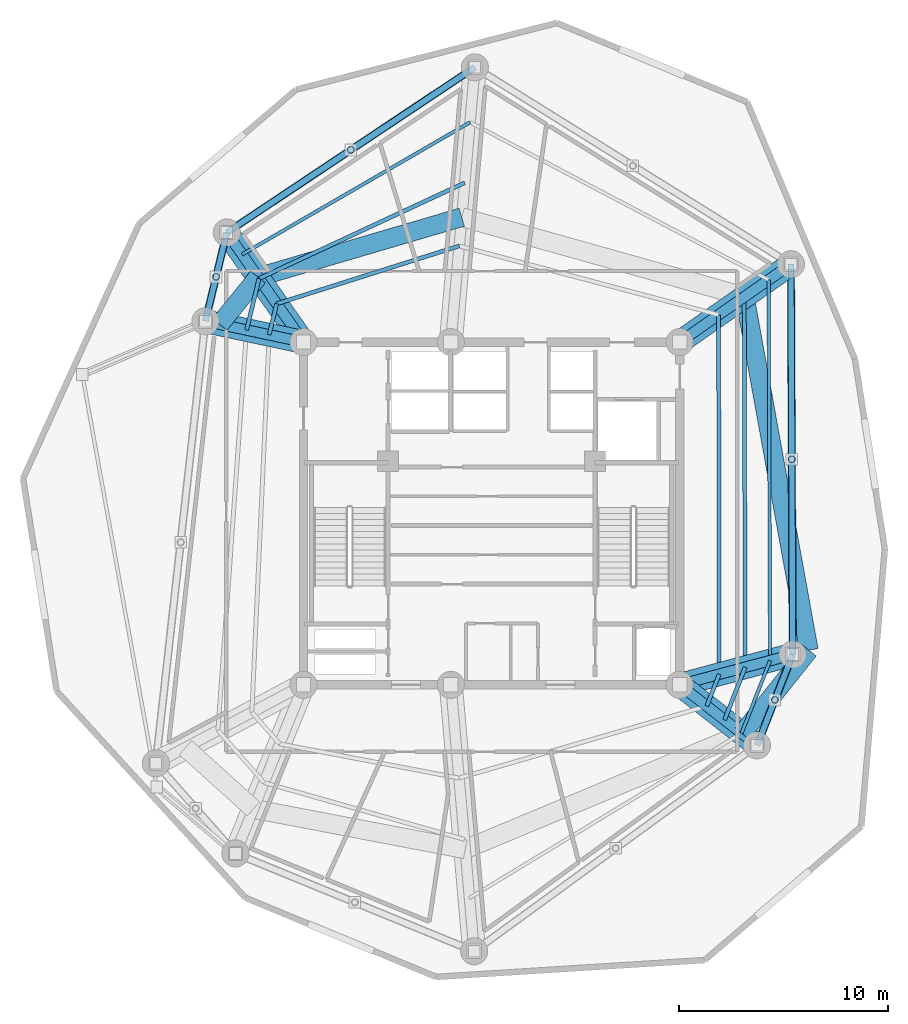
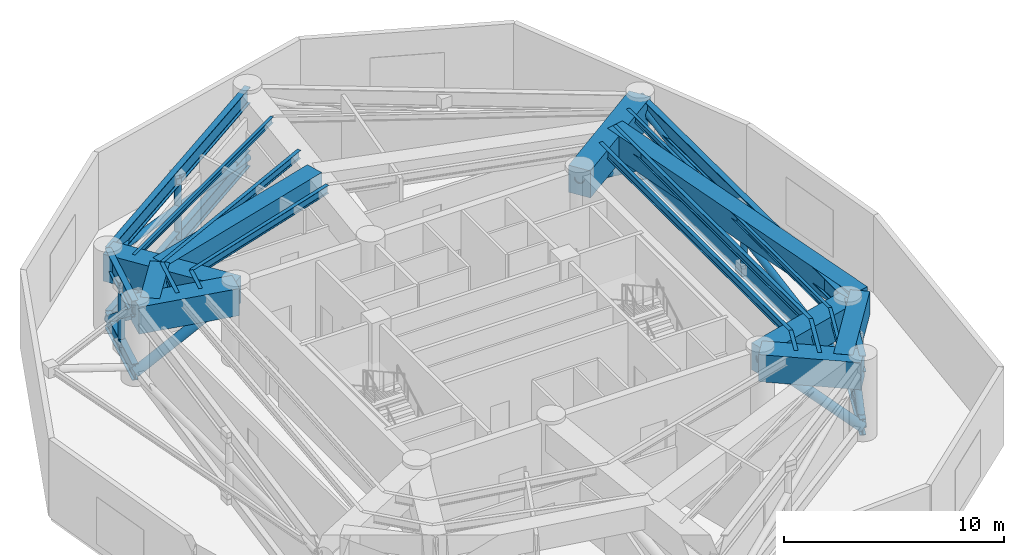
# One storey, part 3 of 11: 24 beams, 17 members.
"""IFC4 building model written with IfcOpenShell, lengths in metres."""

from ifc_helpers import new_model, si_unit, direction, frame, origin, origin_with_axes, origin_2d, place, context, subcontext, project, spatial, rectangle, hollow_circle, i_section, extrude, source, transform, mapped, material, material_profile, profile_set, type_object, element, save


model = new_model("IFC4")

# Units and contexts
model_context = context("Model", 3, precision=1e-05, world=origin(), true_north=direction((0.0, 1.0)))
body_context = subcontext(model_context, "Body", "Model", "MODEL_VIEW")
ifc_project = project(units=[si_unit("LENGTHUNIT", "METRE"), si_unit("AREAUNIT", "SQUARE_METRE"), si_unit("VOLUMEUNIT", "CUBIC_METRE"), si_unit("PLANEANGLEUNIT", "RADIAN"), si_unit("MASSUNIT", "GRAM", prefix="KILO")], contexts=[model_context])

# Site, building, storey
site_placement = place(None, origin())
site = spatial("IfcSite", under=ifc_project, at=site_placement, CompositionType="ELEMENT")
building_placement = place(site_placement, origin())
building = spatial("IfcBuilding", under=site, at=building_placement, Name="Karkom Vertical University and Central Library", CompositionType="ELEMENT")
storey_placement = place(building_placement, frame((0.0, 0.0, 208.39990234375)))
storey = spatial("IfcBuildingStorey", under=building, at=storey_placement, Name="P61", CompositionType="ELEMENT", Elevation=208.39990234375)

# Beams
ifc_material_1 = material(Name="Steel S355", Category="steel")
ifc_material_profile_1 = material_profile(ifc_material_1, i_section(OverallWidth=0.18994140625, OverallDepth=0.449951171875, WebThickness=0.009521484375, FlangeThickness=0.0146484375, FilletRadius=0.02099609375, at=origin_2d()), Name="IPE 450")
ifc_profile_set_1 = profile_set([ifc_material_profile_1], Name="Steel S355")
beam_type_1 = type_object("IfcBeamType", Name="STR-BM-SB-IPE450", PredefinedType="BEAM", material=ifc_profile_set_1)
shared_shape_1 = source(origin_with_axes(), body_context, "Body", "SweptSolid", [
    extrude(i_section(OverallWidth=0.18994140625, OverallDepth=0.449951171875, WebThickness=0.009521484375, FlangeThickness=0.0146484375, FilletRadius=0.02099609375, at=origin_2d()), origin(), (0.0, 0.0, 1.0), 17.19775390625),
])
beam_1_placement = place(storey_placement, frame((39.39306640625, 18.80712890625, 4.0751953125), z_axis=(-0.001731918699, 0.999998500228, 0.0), x_axis=(-0.999998500228, -0.001731918699, 0.0)))
element("IfcBeam", 1, at=beam_1_placement, inside=storey, type_object=beam_type_1, Name="Plant Level 61 Secondary Composite Floor Beam 1.01", PredefinedType="BEAM", context=body_context, shape_type="MappedRepresentation", body=[
    mapped(shared_shape_1, transform((0.0, 0.0, 0.0), scale=1.0)),
])
shared_shape_2 = source(origin_with_axes(), body_context, "Body", "SweptSolid", [
    extrude(i_section(OverallWidth=0.18994140625, OverallDepth=0.449951171875, WebThickness=0.009521484375, FlangeThickness=0.0146484375, FilletRadius=0.02099609375, at=origin_2d()), origin(), (0.0, 0.0, 1.0), 9.1650390625),
])
beam_2_placement = place(storey_placement, frame((26.952392578125, 39.302490234375, 4.0751953125), z_axis=(-0.953318200449, -0.301967562319, 0.0), x_axis=(0.301967562319, -0.953318200449, 0.0)))
element("IfcBeam", 2, at=beam_2_placement, inside=storey, type_object=beam_type_1, Name="Plant Level 61 Secondary Composite Floor Beam 1.03", PredefinedType="BEAM", context=body_context, shape_type="MappedRepresentation", body=[
    mapped(shared_shape_2, transform((0.0, 0.0, 0.0), scale=1.0)),
])
shared_shape_3 = source(origin_with_axes(), body_context, "Body", "SweptSolid", [
    extrude(i_section(OverallWidth=0.18994140625, OverallDepth=0.449951171875, WebThickness=0.009521484375, FlangeThickness=0.0146484375, FilletRadius=0.02099609375, at=origin_2d()), origin(), (0.0, 0.0, 1.0), 1.5283203125),
])
beam_3_placement = place(storey_placement, frame((18.215087890625, 36.534912109375, 4.0751953125), z_axis=(-0.234520804587, -0.972111100757, 0.0), x_axis=(0.972111100757, -0.234520804587, 0.0)))
element("IfcBeam", 3, at=beam_3_placement, inside=storey, type_object=beam_type_1, Name="Plant Level 61 Secondary Composite Floor Beam 1.04", PredefinedType="BEAM", context=body_context, shape_type="MappedRepresentation", body=[
    mapped(shared_shape_3, transform((0.0, 0.0, 0.0), scale=1.0)),
])
shared_shape_4 = source(origin_with_axes(), body_context, "Body", "SweptSolid", [
    extrude(i_section(OverallWidth=0.18994140625, OverallDepth=0.449951171875, WebThickness=0.009521484375, FlangeThickness=0.0146484375, FilletRadius=0.02099609375, at=origin_2d()), origin(), (0.0, 0.0, 1.0), 1.633056640625),
])
beam_4_placement = place(storey_placement, frame((38.79638671875, 17.287109375, 4.0751953125), z_axis=(0.365402570083, 0.930849591382, 0.0), x_axis=(-0.930849591382, 0.365402570083, 0.0)))
element("IfcBeam", 4, at=beam_4_placement, inside=storey, type_object=beam_type_1, Name="Plant Level 61 Secondary Composite Floor Beam 1.09", PredefinedType="BEAM", context=body_context, shape_type="MappedRepresentation", body=[
    mapped(shared_shape_4, transform((0.0, 0.0, 0.0), scale=1.0)),
])
shared_shape_5 = source(origin_with_axes(), body_context, "Body", "SweptSolid", [
    extrude(i_section(OverallWidth=0.18994140625, OverallDepth=0.449951171875, WebThickness=0.009521484375, FlangeThickness=0.0146484375, FilletRadius=0.02099609375, at=origin_2d()), origin(), (0.0, 0.0, 1.0), 17.721923828125),
])
beam_5_placement = place(storey_placement, frame((40.63720703125, 19.140380859375, 4.0751953125), z_axis=(-0.002782780006, 0.99999612806, 0.0), x_axis=(-0.99999612806, -0.002782780006, 0.0)))
element("IfcBeam", 5, at=beam_5_placement, inside=storey, type_object=beam_type_1, Name="Plant Level 61 Secondary Composite Floor Beam 2.01", PredefinedType="BEAM", context=body_context, shape_type="MappedRepresentation", body=[
    mapped(shared_shape_5, transform((0.0, 0.0, 0.0), scale=1.0)),
])
shared_shape_6 = source(origin_with_axes(), body_context, "Body", "SweptSolid", [
    extrude(i_section(OverallWidth=0.18994140625, OverallDepth=0.449951171875, WebThickness=0.009521484375, FlangeThickness=0.0146484375, FilletRadius=0.02099609375, at=origin_2d()), origin(), (0.0, 0.0, 1.0), 10.86181640625),
])
beam_6_placement = place(storey_placement, frame((27.217041015625, 42.326904296875, 4.0751953125), z_axis=(-0.90649871419, -0.422208575436, 0.0), x_axis=(0.422208575436, -0.90649871419, 0.0)))
element("IfcBeam", 6, at=beam_6_placement, inside=storey, type_object=beam_type_1, Name="Plant Level 61 Secondary Composite Floor Beam 2.03", PredefinedType="BEAM", context=body_context, shape_type="MappedRepresentation", body=[
    mapped(shared_shape_6, transform((0.0, 0.0, 0.0), scale=1.0)),
])
shared_shape_7 = source(origin_with_axes(), body_context, "Body", "SweptSolid", [
    extrude(i_section(OverallWidth=0.18994140625, OverallDepth=0.449951171875, WebThickness=0.009521484375, FlangeThickness=0.0146484375, FilletRadius=0.02099609375, at=origin_2d()), origin(), (0.0, 0.0, 1.0), 2.53271484375),
])
beam_7_placement = place(storey_placement, frame((17.370849609375, 37.740966796875, 4.0751953125), z_axis=(-0.234521178828, -0.972111010472, 0.0), x_axis=(0.972111010472, -0.234521178828, 0.0)))
element("IfcBeam", 7, at=beam_7_placement, inside=storey, type_object=beam_type_1, Name="Plant Level 61 Secondary Composite Floor Beam 2.04", PredefinedType="BEAM", context=body_context, shape_type="MappedRepresentation", body=[
    mapped(shared_shape_7, transform((0.0, 0.0, 0.0), scale=1.0)),
])
shared_shape_8 = source(origin_with_axes(), body_context, "Body", "SweptSolid", [
    extrude(i_section(OverallWidth=0.18994140625, OverallDepth=0.449951171875, WebThickness=0.009521484375, FlangeThickness=0.0146484375, FilletRadius=0.02099609375, at=origin_2d()), origin(), (0.0, 0.0, 1.0), 2.7060546875),
])
beam_8_placement = place(storey_placement, frame((39.648193359375, 16.62158203125, 4.0751953125), z_axis=(0.365487674906, 0.930816179217, 0.0), x_axis=(-0.930816179217, 0.365487674906, 0.0)))
element("IfcBeam", 8, at=beam_8_placement, inside=storey, type_object=beam_type_1, Name="Plant Level 61 Secondary Composite Floor Beam 2.09", PredefinedType="BEAM", context=body_context, shape_type="MappedRepresentation", body=[
    mapped(shared_shape_8, transform((0.0, 0.0, 0.0), scale=1.0)),
])
ifc_material_profile_2 = material_profile(ifc_material_1, i_section(OverallWidth=0.159912109375, OverallDepth=0.330078125, WebThickness=0.007568359375, FlangeThickness=0.011474609375, FilletRadius=0.01806640625, at=origin_2d()), Name="IPE 330")
ifc_profile_set_2 = profile_set([ifc_material_profile_2], Name="Steel S355")
beam_type_2 = type_object("IfcBeamType", Name="STR-BM-SB-IPE330", PredefinedType="BEAM", material=ifc_profile_set_2)
shared_shape_9 = source(origin_with_axes(), body_context, "Body", "SweptSolid", [
    extrude(i_section(OverallWidth=0.159912109375, OverallDepth=0.330078125, WebThickness=0.007568359375, FlangeThickness=0.011474609375, FilletRadius=0.01806640625, at=origin_2d()), origin(), (0.0, 0.0, 1.0), 18.223388671875),
])
beam_9_placement = place(storey_placement, frame((41.8271484375, 19.459228515625, 4.135009765625), z_axis=(-0.003724418851, 0.999993064328, 0.0), x_axis=(-0.999993064328, -0.003724418851, 0.0)))
element("IfcBeam", 9, at=beam_9_placement, inside=storey, type_object=beam_type_2, Name="Plant Level 61 Secondary Composite Floor Beam 3.01", PredefinedType="BEAM", context=body_context, shape_type="MappedRepresentation", body=[
    mapped(shared_shape_9, transform((0.0, 0.0, 0.0), scale=1.0)),
])
shared_shape_10 = source(origin_with_axes(), body_context, "Body", "SweptSolid", [
    extrude(i_section(OverallWidth=0.159912109375, OverallDepth=0.330078125, WebThickness=0.007568359375, FlangeThickness=0.011474609375, FilletRadius=0.01806640625, at=origin_2d()), origin(), (0.0, 0.0, 1.0), 12.6083984375),
])
beam_10_placement = place(storey_placement, frame((27.469970703125, 45.219970703125, 4.135009765625), z_axis=(-0.865038920595, -0.50170475965, 0.0), x_axis=(0.50170475965, -0.865038920595, 0.0)))
element("IfcBeam", 10, at=beam_10_placement, inside=storey, type_object=beam_type_2, Name="Plant Level 61 Secondary Composite Floor Beam 3.03", PredefinedType="BEAM", context=body_context, shape_type="MappedRepresentation", body=[
    mapped(shared_shape_10, transform((0.0, 0.0, 0.0), scale=1.0)),
])
shared_shape_11 = source(origin_with_axes(), body_context, "Body", "SweptSolid", [
    extrude(i_section(OverallWidth=0.159912109375, OverallDepth=0.330078125, WebThickness=0.007568359375, FlangeThickness=0.011474609375, FilletRadius=0.01806640625, at=origin_2d()), origin(), (0.0, 0.0, 1.0), 3.732421875),
])
beam_11_placement = place(storey_placement, frame((40.463134765625, 15.98486328125, 4.135009765625), z_axis=(0.365439874109, 0.930834946922, 0.0), x_axis=(-0.930834946922, 0.365439874109, 0.0)))
element("IfcBeam", 11, at=beam_11_placement, inside=storey, type_object=beam_type_2, Name="Plant Level 61 Secondary Composite Floor Beam 3.09", PredefinedType="BEAM", context=body_context, shape_type="MappedRepresentation", body=[
    mapped(shared_shape_11, transform((0.0, 0.0, 0.0), scale=1.0)),
])
ifc_material_2 = material(Name="Concrete C50/60", Category="concrete")
ifc_material_profile_3 = material_profile(ifc_material_2, rectangle(XDim=1.10009765625, YDim=1.5, at=origin_2d()), Name="TG-1100x1500")
ifc_profile_set_3 = profile_set([ifc_material_profile_3], Name="Concrete C50/60")
beam_type_3 = type_object("IfcBeamType", Name="STR-BM-TG-1", PredefinedType="USERDEFINED", material=ifc_profile_set_3)
shared_shape_12 = source(origin_with_axes(), body_context, "Body", "SweptSolid", [
    extrude(rectangle(XDim=1.10009765625, YDim=1.5, at=origin_2d()), origin(), (0.0, 0.0, 1.0), 5.599609375),
])
beam_12_placement = place(storey_placement, frame((37.5, 18.300048828125, 3.550048828125), z_axis=(0.965941240814, 0.258761510459, 0.0), x_axis=(-0.258761510459, 0.965941240814, 0.0)))
element("IfcBeam", 12, at=beam_12_placement, inside=storey, type_object=beam_type_3, Name="Plant Level 61 Radial Frame Girder 01", ObjectType="GIRDER", PredefinedType="USERDEFINED", context=body_context, shape_type="MappedRepresentation", body=[
    mapped(shared_shape_12, transform((0.0, 0.0, 0.0), scale=1.0)),
])
shared_shape_13 = source(origin_with_axes(), body_context, "Body", "SweptSolid", [
    extrude(rectangle(XDim=1.10009765625, YDim=1.5, at=origin_2d()), origin(), (0.0, 0.0, 1.0), 6.49951171875),
])
beam_13_placement = place(storey_placement, frame((37.5, 34.699951171875, 3.550048828125), z_axis=(0.819141909878, 0.573590909517, 0.0), x_axis=(-0.573590909517, 0.819141909878, 0.0)))
element("IfcBeam", 13, at=beam_13_placement, inside=storey, type_object=beam_type_3, Name="Plant Level 61 Radial Frame Girder 02", ObjectType="GIRDER", PredefinedType="USERDEFINED", context=body_context, shape_type="MappedRepresentation", body=[
    mapped(shared_shape_13, transform((0.0, 0.0, 0.0), scale=1.0)),
])
shared_shape_14 = source(origin_with_axes(), body_context, "Body", "SweptSolid", [
    extrude(rectangle(XDim=1.10009765625, YDim=1.5, at=origin_2d()), origin(), (0.0, 0.0, 1.0), 6.400390625),
])
beam_14_placement = place(storey_placement, frame((19.5, 34.699951171875, 3.550048828125), z_axis=(-0.573534022273, 0.81918174131, 0.0), x_axis=(-0.81918174131, -0.573534022273, 0.0)))
element("IfcBeam", 14, at=beam_14_placement, inside=storey, type_object=beam_type_3, Name="Plant Level 61 Radial Frame Girder 04", ObjectType="GIRDER", PredefinedType="USERDEFINED", context=body_context, shape_type="MappedRepresentation", body=[
    mapped(shared_shape_14, transform((0.0, 0.0, 0.0), scale=1.0)),
])
shared_shape_15 = source(origin_with_axes(), body_context, "Body", "SweptSolid", [
    extrude(rectangle(XDim=1.10009765625, YDim=1.5, at=origin_2d()), origin(), (0.0, 0.0, 1.0), 4.800048828125),
])
beam_15_placement = place(storey_placement, frame((19.5, 34.699951171875, 3.550048828125), z_axis=(-0.978144241295, 0.207927495108, 0.0), x_axis=(-0.207927495108, -0.978144241295, 0.0)))
element("IfcBeam", 15, at=beam_15_placement, inside=storey, type_object=beam_type_3, Name="Plant Level 61 Radial Frame Girder 05", ObjectType="GIRDER", PredefinedType="USERDEFINED", context=body_context, shape_type="MappedRepresentation", body=[
    mapped(shared_shape_15, transform((0.0, 0.0, 0.0), scale=1.0)),
])
shared_shape_16 = source(origin_with_axes(), body_context, "Body", "SweptSolid", [
    extrude(rectangle(XDim=1.10009765625, YDim=1.5, at=origin_2d()), origin(), (0.0, 0.0, 1.0), 4.70068359375),
])
beam_16_placement = place(storey_placement, frame((37.5, 18.300048828125, 3.550048828125), z_axis=(0.788002325582, -0.615672262553, 0.0), x_axis=(0.615672262553, 0.788002325582, 0.0)))
element("IfcBeam", 16, at=beam_16_placement, inside=storey, type_object=beam_type_3, Name="Plant Level 61 Radial Frame Girder 09", ObjectType="GIRDER", PredefinedType="USERDEFINED", context=body_context, shape_type="MappedRepresentation", body=[
    mapped(shared_shape_16, transform((0.0, 0.0, 0.0), scale=1.0)),
])
ifc_material_3 = material(Name="Steel S460", Category="steel")
ifc_material_profile_4 = material_profile(ifc_material_3, i_section(OverallWidth=0.300048828125, OverallDepth=0.89990234375, WebThickness=0.0185546875, FlangeThickness=0.034912109375, FilletRadius=0.030029296875, at=origin_2d()), Name="HE 900 B")
ifc_profile_set_4 = profile_set([ifc_material_profile_4], Name="Steel S460")
beam_type_4 = type_object("IfcBeamType", Name="STR-BM-SB-HE900", PredefinedType="USERDEFINED", material=ifc_profile_set_4)
shared_shape_17 = source(origin_with_axes(), body_context, "Body", "SweptSolid", [
    extrude(i_section(OverallWidth=0.300048828125, OverallDepth=0.89990234375, WebThickness=0.0185546875, FlangeThickness=0.034912109375, FilletRadius=0.030029296875, at=origin_2d()), origin(), (0.0, 0.0, 1.0), 18.67919921875),
])
beam_17_placement = place(storey_placement, frame((42.908935546875, 19.7490234375, 3.85009765625), z_axis=(-0.004548437442, 0.999989655805, 0.0), x_axis=(-0.999989655805, -0.004548437442, 0.0)))
element("IfcBeam", 17, at=beam_17_placement, inside=storey, type_object=beam_type_4, Name="Plant Level 61 Perimeter Spandrel Beam 01", ObjectType="GIRDER", PredefinedType="USERDEFINED", context=body_context, shape_type="MappedRepresentation", body=[
    mapped(shared_shape_17, transform((0.0, 0.0, 0.0), scale=1.0)),
])
shared_shape_18 = source(origin_with_axes(), body_context, "Body", "SweptSolid", [
    extrude(i_section(OverallWidth=0.300048828125, OverallDepth=0.89990234375, WebThickness=0.0185546875, FlangeThickness=0.034912109375, FilletRadius=0.030029296875, at=origin_2d()), origin(), (0.0, 0.0, 1.0), 14.26318359375),
])
beam_18_placement = place(storey_placement, frame((27.699951171875, 47.85009765625, 3.85009765625), z_axis=(-0.83227406272, -0.554364396876, 0.0), x_axis=(0.554364396876, -0.83227406272, 0.0)))
element("IfcBeam", 18, at=beam_18_placement, inside=storey, type_object=beam_type_4, Name="Plant Level 61 Perimeter Spandrel Beam 03", ObjectType="GIRDER", PredefinedType="USERDEFINED", context=body_context, shape_type="MappedRepresentation", body=[
    mapped(shared_shape_18, transform((0.0, 0.0, 0.0), scale=1.0)),
])
shared_shape_19 = source(origin_with_axes(), body_context, "Body", "SweptSolid", [
    extrude(i_section(OverallWidth=0.300048828125, OverallDepth=0.89990234375, WebThickness=0.0185546875, FlangeThickness=0.034912109375, FilletRadius=0.030029296875, at=origin_2d()), origin(), (0.0, 0.0, 1.0), 4.366943359375),
])
beam_19_placement = place(storey_placement, frame((15.8291015625, 39.943115234375, 3.85009765625), z_axis=(-0.234529408772, -0.972109024966, 0.0), x_axis=(0.972109024966, -0.234529408772, 0.0)))
element("IfcBeam", 19, at=beam_19_placement, inside=storey, type_object=beam_type_4, Name="Plant Level 61 Perimeter Spandrel Beam 04", ObjectType="GIRDER", PredefinedType="USERDEFINED", context=body_context, shape_type="MappedRepresentation", body=[
    mapped(shared_shape_19, transform((0.0, 0.0, 0.0), scale=1.0)),
])
shared_shape_20 = source(origin_with_axes(), body_context, "Body", "SweptSolid", [
    extrude(i_section(OverallWidth=0.300048828125, OverallDepth=0.89990234375, WebThickness=0.0185546875, FlangeThickness=0.034912109375, FilletRadius=0.030029296875, at=origin_2d()), origin(), (0.0, 0.0, 1.0), 4.66552734375),
])
beam_20_placement = place(storey_placement, frame((41.2041015625, 15.406005859375, 3.85009765625), z_axis=(0.365401419454, 0.930850043058, 0.0), x_axis=(-0.930850043058, 0.365401419454, 0.0)))
element("IfcBeam", 20, at=beam_20_placement, inside=storey, type_object=beam_type_4, Name="Plant Level 61 Perimeter Spandrel Beam 09", ObjectType="GIRDER", PredefinedType="USERDEFINED", context=body_context, shape_type="MappedRepresentation", body=[
    mapped(shared_shape_20, transform((0.0, 0.0, 0.0), scale=1.0)),
])
ifc_material_profile_5 = material_profile(ifc_material_2, rectangle(XDim=0.89990234375, YDim=1.300048828125, at=origin_2d()), Name="TG-900x1300")
ifc_profile_set_5 = profile_set([ifc_material_profile_5], Name="Concrete C50/60")
beam_type_5 = type_object("IfcBeamType", Name="STR-BM-TG-3", PredefinedType="USERDEFINED", material=ifc_profile_set_5)
shared_shape_21 = source(origin_with_axes(), body_context, "Body", "SweptSolid", [
    extrude(rectangle(XDim=0.89990234375, YDim=1.300048828125, at=origin_2d()), origin(), (0.0, 0.0, 1.0), 17.19970703125),
])
beam_21_placement = place(storey_placement, frame((43.681884765625, 19.9560546875, 3.650146484375), z_axis=(-0.178423249727, 0.983953832228, 0.0), x_axis=(-0.983953832228, -0.178423249727, 0.0)))
element("IfcBeam", 21, at=beam_21_placement, inside=storey, type_object=beam_type_5, Name="Plant Level 61 Upper Column Transfer Ring 01", ObjectType="GIRDER", PredefinedType="USERDEFINED", context=body_context, shape_type="MappedRepresentation", body=[
    mapped(shared_shape_21, transform((0.0, 0.0, 0.0), scale=1.0)),
])
shared_shape_22 = source(origin_with_axes(), body_context, "Body", "SweptSolid", [
    extrude(rectangle(XDim=0.89990234375, YDim=1.300048828125, at=origin_2d()), origin(), (0.0, 0.0, 1.0), 10.164794921875),
])
beam_22_placement = place(storey_placement, frame((27.072998046875, 40.677001953125, 3.650146484375), z_axis=(-0.959485124536, -0.281759286971, 0.0), x_axis=(0.281759286971, -0.959485124536, 0.0)))
element("IfcBeam", 22, at=beam_22_placement, inside=storey, type_object=beam_type_5, Name="Plant Level 61 Upper Column Transfer Ring 03", ObjectType="GIRDER", PredefinedType="USERDEFINED", context=body_context, shape_type="MappedRepresentation", body=[
    mapped(shared_shape_22, transform((0.0, 0.0, 0.0), scale=1.0)),
])
shared_shape_23 = source(origin_with_axes(), body_context, "Body", "SweptSolid", [
    extrude(rectangle(XDim=0.89990234375, YDim=1.300048828125, at=origin_2d()), origin(), (0.0, 0.0, 1.0), 2.908935546875),
])
beam_23_placement = place(storey_placement, frame((17.320068359375, 37.81298828125, 3.650146484375), z_axis=(-0.629147523747, -0.777285914811, 0.0), x_axis=(0.777285914811, -0.629147523747, 0.0)))
element("IfcBeam", 23, at=beam_23_placement, inside=storey, type_object=beam_type_5, Name="Plant Level 61 Upper Column Transfer Ring 04", ObjectType="GIRDER", PredefinedType="USERDEFINED", context=body_context, shape_type="MappedRepresentation", body=[
    mapped(shared_shape_23, transform((0.0, 0.0, 0.0), scale=1.0)),
])
shared_shape_24 = source(origin_with_axes(), body_context, "Body", "SweptSolid", [
    extrude(rectangle(XDim=0.89990234375, YDim=1.300048828125, at=origin_2d()), origin(), (0.0, 0.0, 1.0), 5.112060546875),
])
beam_24_placement = place(storey_placement, frame((40.493896484375, 15.9599609375, 3.650146484375), z_axis=(0.623634459503, 0.78171609995, 0.0), x_axis=(-0.78171609995, 0.623634459503, 0.0)))
element("IfcBeam", 24, at=beam_24_placement, inside=storey, type_object=beam_type_5, Name="Plant Level 61 Upper Column Transfer Ring 09", ObjectType="GIRDER", PredefinedType="USERDEFINED", context=body_context, shape_type="MappedRepresentation", body=[
    mapped(shared_shape_24, transform((0.0, 0.0, 0.0), scale=1.0)),
])

# Members
ifc_material_profile_6 = material_profile(ifc_material_1, hollow_circle(Radius=0.177734375, WallThickness=0.01611328125, at=origin_2d()), Name="CHS 355.6x16")
ifc_profile_set_6 = profile_set([ifc_material_profile_6], Name="Steel S355")
member_type_1 = type_object("IfcMemberType", Name="STR-MEM-BR-3", PredefinedType="BRACE", material=ifc_profile_set_6)
shared_shape_25 = source(origin_with_axes(), body_context, "Body", "SweptSolid", [
    extrude(hollow_circle(Radius=0.177734375, WallThickness=0.01611328125, at=origin_2d()), origin(), (0.0, 0.0, 1.0), 18.986083984375),
])
member_1_placement = place(storey_placement, frame((42.908935546875, 19.7490234375, 0.35009765625), z_axis=(-0.00447491492, 0.983825475893, 0.179073750504), x_axis=(-0.999989655805, -0.004548437442, 0.0)))
element("IfcMember", 25, at=member_1_placement, inside=storey, type_object=member_type_1, Name="Plant Level 61 Belt Truss Diagonal Brace 01", PredefinedType="BRACE", context=body_context, shape_type="MappedRepresentation", body=[
    mapped(shared_shape_25, transform((0.0, 0.0, 0.0), scale=1.0)),
])
ifc_material_profile_7 = material_profile(ifc_material_3, i_section(OverallWidth=0.300048828125, OverallDepth=0.89990234375, WebThickness=0.0185546875, FlangeThickness=0.034912109375, FilletRadius=0.030029296875, at=origin_2d()), Name="HE 900 B")
ifc_profile_set_7 = profile_set([ifc_material_profile_7], Name="Steel S460")
member_type_2 = type_object("IfcMemberType", Name="STR-MEM-CH-1", PredefinedType="CHORD", material=ifc_profile_set_7)
shared_shape_26 = source(origin_with_axes(), body_context, "Body", "SweptSolid", [
    extrude(i_section(OverallWidth=0.300048828125, OverallDepth=0.89990234375, WebThickness=0.0185546875, FlangeThickness=0.034912109375, FilletRadius=0.030029296875, at=origin_2d()), origin(), (0.0, 0.0, 1.0), 18.67919921875),
])
member_2_placement = place(storey_placement, frame((42.908935546875, 19.7490234375, 0.35009765625), z_axis=(-0.004548437442, 0.999989655805, 0.0), x_axis=(-0.999989655805, -0.004548437442, 0.0)))
element("IfcMember", 26, at=member_2_placement, inside=storey, type_object=member_type_2, Name="Plant Level 61 Belt Truss Bottom Chord 01", PredefinedType="CHORD", context=body_context, shape_type="MappedRepresentation", body=[
    mapped(shared_shape_26, transform((0.0, 0.0, 0.0), scale=1.0)),
])
ifc_material_profile_8 = material_profile(ifc_material_1, hollow_circle(Radius=0.161865234375, WallThickness=0.01611328125, at=origin_2d()), Name="CHS 323.9x16")
ifc_profile_set_8 = profile_set([ifc_material_profile_8], Name="Steel S355")
member_type_3 = type_object("IfcMemberType", Name="STR-MEM-PT-1", PredefinedType="POST", material=ifc_profile_set_8)
shared_shape_27 = source(origin_with_axes(), body_context, "Body", "SweptSolid", [
    extrude(hollow_circle(Radius=0.161865234375, WallThickness=0.01611328125, at=origin_2d()), origin(), (0.0, 0.0, 1.0), 3.39990234375),
])
for number, where, z_axis, x_axis, name in (
    (27, (42.866455078125, 29.08837890625, 0.35009765625), (0.0, 0.0, 1.0), (1.0, 0.0, 0.0), "Plant Level 61 Belt Truss Web Post 01"),
    (28, (21.764404296875, 43.896484375, 0.35009765625), (0.0, 0.0, 1.0), (1.0, 0.0, 0.0), "Plant Level 61 Belt Truss Web Post 03"),
    (29, (15.31689453125, 37.820556640625, 0.35009765625), (0.0, 0.0, 1.0), (1.0, 0.0, 0.0), "Plant Level 61 Belt Truss Web Post 04"),
    (30, (42.056396484375, 17.577392578125, 0.35009765625), (0.0, 0.0, 1.0), (1.0, 0.0, 0.0), "Plant Level 61 Belt Truss Web Post 09"),
):
    element("IfcMember", number, at=place(storey_placement, frame(where, z_axis=z_axis, x_axis=x_axis)), inside=storey, type_object=member_type_3, Name=name, PredefinedType="POST", context=body_context, shape_type="MappedRepresentation", body=[
        mapped(shared_shape_27, transform((0.0, 0.0, 0.0), scale=1.0)),
    ])
shared_shape_28 = source(origin_with_axes(), body_context, "Body", "SweptSolid", [
    extrude(hollow_circle(Radius=0.177734375, WallThickness=0.01611328125, at=origin_2d()), origin(), (0.0, 0.0, 1.0), 14.662841796875),
])
member_3_placement = place(storey_placement, frame((27.699951171875, 47.85009765625, 0.35009765625), z_axis=(-0.80959129124, -0.539255766806, 0.231873153072), x_axis=(0.554364396876, -0.83227406272, 0.0)))
element("IfcMember", 31, at=member_3_placement, inside=storey, type_object=member_type_1, Name="Plant Level 61 Belt Truss Diagonal Brace 03", PredefinedType="BRACE", context=body_context, shape_type="MappedRepresentation", body=[
    mapped(shared_shape_28, transform((0.0, 0.0, 0.0), scale=1.0)),
])
shared_shape_29 = source(origin_with_axes(), body_context, "Body", "SweptSolid", [
    extrude(i_section(OverallWidth=0.300048828125, OverallDepth=0.89990234375, WebThickness=0.0185546875, FlangeThickness=0.034912109375, FilletRadius=0.030029296875, at=origin_2d()), origin(), (0.0, 0.0, 1.0), 14.26318359375),
])
member_4_placement = place(storey_placement, frame((27.699951171875, 47.85009765625, 0.35009765625), z_axis=(-0.83227406272, -0.554364396876, 0.0), x_axis=(0.554364396876, -0.83227406272, 0.0)))
element("IfcMember", 32, at=member_4_placement, inside=storey, type_object=member_type_2, Name="Plant Level 61 Belt Truss Bottom Chord 03", PredefinedType="CHORD", context=body_context, shape_type="MappedRepresentation", body=[
    mapped(shared_shape_29, transform((0.0, 0.0, 0.0), scale=1.0)),
])
shared_shape_30 = source(origin_with_axes(), body_context, "Body", "SweptSolid", [
    extrude(hollow_circle(Radius=0.177734375, WallThickness=0.01611328125, at=origin_2d()), origin(), (0.0, 0.0, 1.0), 5.534423828125),
])
member_5_placement = place(storey_placement, frame((15.8291015625, 39.943115234375, 0.35009765625), z_axis=(-0.185056193112, -0.767045789232, 0.614324802211), x_axis=(0.972109024966, -0.234529408772, 0.0)))
element("IfcMember", 33, at=member_5_placement, inside=storey, type_object=member_type_1, Name="Plant Level 61 Belt Truss Diagonal Brace 04", PredefinedType="BRACE", context=body_context, shape_type="MappedRepresentation", body=[
    mapped(shared_shape_30, transform((0.0, 0.0, 0.0), scale=1.0)),
])
shared_shape_31 = source(origin_with_axes(), body_context, "Body", "SweptSolid", [
    extrude(i_section(OverallWidth=0.300048828125, OverallDepth=0.89990234375, WebThickness=0.0185546875, FlangeThickness=0.034912109375, FilletRadius=0.030029296875, at=origin_2d()), origin(), (0.0, 0.0, 1.0), 4.366943359375),
])
member_6_placement = place(storey_placement, frame((15.8291015625, 39.943115234375, 0.35009765625), z_axis=(-0.234529408772, -0.972109024966, 0.0), x_axis=(0.972109024966, -0.234529408772, 0.0)))
element("IfcMember", 34, at=member_6_placement, inside=storey, type_object=member_type_2, Name="Plant Level 61 Belt Truss Bottom Chord 04", PredefinedType="CHORD", context=body_context, shape_type="MappedRepresentation", body=[
    mapped(shared_shape_31, transform((0.0, 0.0, 0.0), scale=1.0)),
])
shared_shape_32 = source(origin_with_axes(), body_context, "Body", "SweptSolid", [
    extrude(hollow_circle(Radius=0.177734375, WallThickness=0.01611328125, at=origin_2d()), origin(), (0.0, 0.0, 1.0), 5.77294921875),
])
member_7_placement = place(storey_placement, frame((41.2041015625, 15.406005859375, 0.35009765625), z_axis=(0.295311321111, 0.752297449699, 0.588931040784), x_axis=(-0.930850043058, 0.365401419454, 0.0)))
element("IfcMember", 35, at=member_7_placement, inside=storey, type_object=member_type_1, Name="Plant Level 61 Belt Truss Diagonal Brace 09", PredefinedType="BRACE", context=body_context, shape_type="MappedRepresentation", body=[
    mapped(shared_shape_32, transform((0.0, 0.0, 0.0), scale=1.0)),
])
shared_shape_33 = source(origin_with_axes(), body_context, "Body", "SweptSolid", [
    extrude(i_section(OverallWidth=0.300048828125, OverallDepth=0.89990234375, WebThickness=0.0185546875, FlangeThickness=0.034912109375, FilletRadius=0.030029296875, at=origin_2d()), origin(), (0.0, 0.0, 1.0), 4.66552734375),
])
member_8_placement = place(storey_placement, frame((41.2041015625, 15.406005859375, 0.35009765625), z_axis=(0.365401419454, 0.930850043058, 0.0), x_axis=(-0.930850043058, 0.365401419454, 0.0)))
element("IfcMember", 36, at=member_8_placement, inside=storey, type_object=member_type_2, Name="Plant Level 61 Belt Truss Bottom Chord 09", PredefinedType="CHORD", context=body_context, shape_type="MappedRepresentation", body=[
    mapped(shared_shape_33, transform((0.0, 0.0, 0.0), scale=1.0)),
])
ifc_material_profile_9 = material_profile(ifc_material_3, hollow_circle(Radius=0.25390625, WallThickness=0.02490234375, at=origin_2d()), Name="CHS 508x25")
ifc_profile_set_9 = profile_set([ifc_material_profile_9], Name="Steel S460")
member_type_4 = type_object("IfcMemberType", Name="STR-MEM-BR-1", PredefinedType="BRACE", material=ifc_profile_set_9)
shared_shape_34 = source(origin_with_axes(), body_context, "Body", "SweptSolid", [
    extrude(hollow_circle(Radius=0.25390625, WallThickness=0.02490234375, at=origin_2d()), origin(), (0.0, 0.0, 1.0), 6.551025390625),
])
member_9_placement = place(storey_placement, frame((37.5, 18.300048828125, 3.75), z_axis=(0.825667111039, 0.221184125661, -0.51899075551), x_axis=(-0.258761510459, 0.965941240814, 0.0)))
element("IfcMember", 37, at=member_9_placement, inside=storey, type_object=member_type_4, Name="Plant Level 61 Outrigger Truss Diagonal 01", PredefinedType="BRACE", context=body_context, shape_type="MappedRepresentation", body=[
    mapped(shared_shape_34, transform((0.0, 0.0, 0.0), scale=1.0)),
])
shared_shape_35 = source(origin_with_axes(), body_context, "Body", "SweptSolid", [
    extrude(hollow_circle(Radius=0.25390625, WallThickness=0.02490234375, at=origin_2d()), origin(), (0.0, 0.0, 1.0), 7.3349609375),
])
member_10_placement = place(storey_placement, frame((37.5, 34.699951171875, 3.75), z_axis=(0.725831545809, 0.508251832187, -0.463517682713), x_axis=(-0.573590909517, 0.819141909878, 0.0)))
element("IfcMember", 38, at=member_10_placement, inside=storey, type_object=member_type_4, Name="Plant Level 61 Outrigger Truss Diagonal 02", PredefinedType="BRACE", context=body_context, shape_type="MappedRepresentation", body=[
    mapped(shared_shape_35, transform((0.0, 0.0, 0.0), scale=1.0)),
])
shared_shape_36 = source(origin_with_axes(), body_context, "Body", "SweptSolid", [
    extrude(hollow_circle(Radius=0.25390625, WallThickness=0.02490234375, at=origin_2d()), origin(), (0.0, 0.0, 1.0), 7.24755859375),
])
member_11_placement = place(storey_placement, frame((19.5, 34.699951171875, 3.75), z_axis=(-0.506508636894, 0.723449021411, -0.46911673832), x_axis=(-0.81918174131, -0.573534022273, 0.0)))
element("IfcMember", 39, at=member_11_placement, inside=storey, type_object=member_type_4, Name="Plant Level 61 Outrigger Truss Diagonal 04", PredefinedType="BRACE", context=body_context, shape_type="MappedRepresentation", body=[
    mapped(shared_shape_36, transform((0.0, 0.0, 0.0), scale=1.0)),
])
shared_shape_37 = source(origin_with_axes(), body_context, "Body", "SweptSolid", [
    extrude(hollow_circle(Radius=0.25390625, WallThickness=0.02490234375, at=origin_2d()), origin(), (0.0, 0.0, 1.0), 5.882080078125),
])
member_12_placement = place(storey_placement, frame((19.5, 34.699951171875, 3.75), z_axis=(-0.798195943508, 0.169675264784, -0.578008252785), x_axis=(-0.207927495108, -0.978144241295, 0.0)))
element("IfcMember", 40, at=member_12_placement, inside=storey, type_object=member_type_4, Name="Plant Level 61 Outrigger Truss Diagonal 05", PredefinedType="BRACE", context=body_context, shape_type="MappedRepresentation", body=[
    mapped(shared_shape_37, transform((0.0, 0.0, 0.0), scale=1.0)),
])
shared_shape_38 = source(origin_with_axes(), body_context, "Body", "SweptSolid", [
    extrude(hollow_circle(Radius=0.25390625, WallThickness=0.02490234375, at=origin_2d()), origin(), (0.0, 0.0, 1.0), 5.80126953125),
])
member_13_placement = place(storey_placement, frame((37.5, 18.300048828125, 3.75), z_axis=(0.638494071183, -0.498860316359, -0.586057766629), x_axis=(0.615672262553, 0.788002325582, 0.0)))
element("IfcMember", 41, at=member_13_placement, inside=storey, type_object=member_type_4, Name="Plant Level 61 Outrigger Truss Diagonal 09", PredefinedType="BRACE", context=body_context, shape_type="MappedRepresentation", body=[
    mapped(shared_shape_38, transform((0.0, 0.0, 0.0), scale=1.0)),
])

save(model, "model.ifc")
